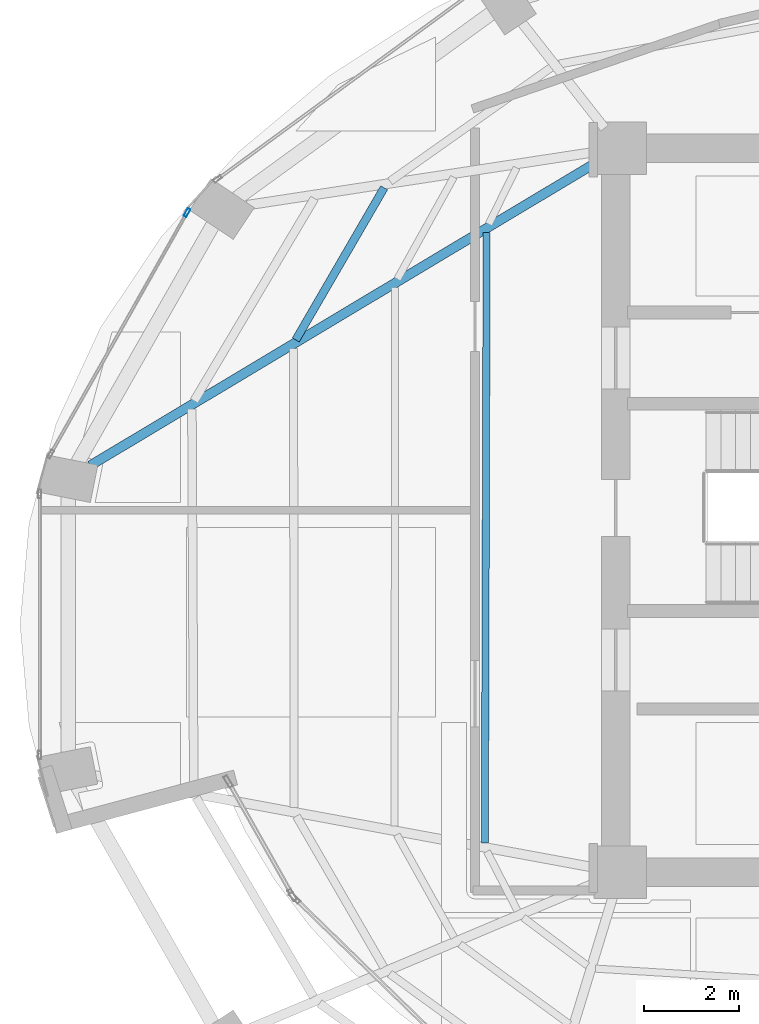
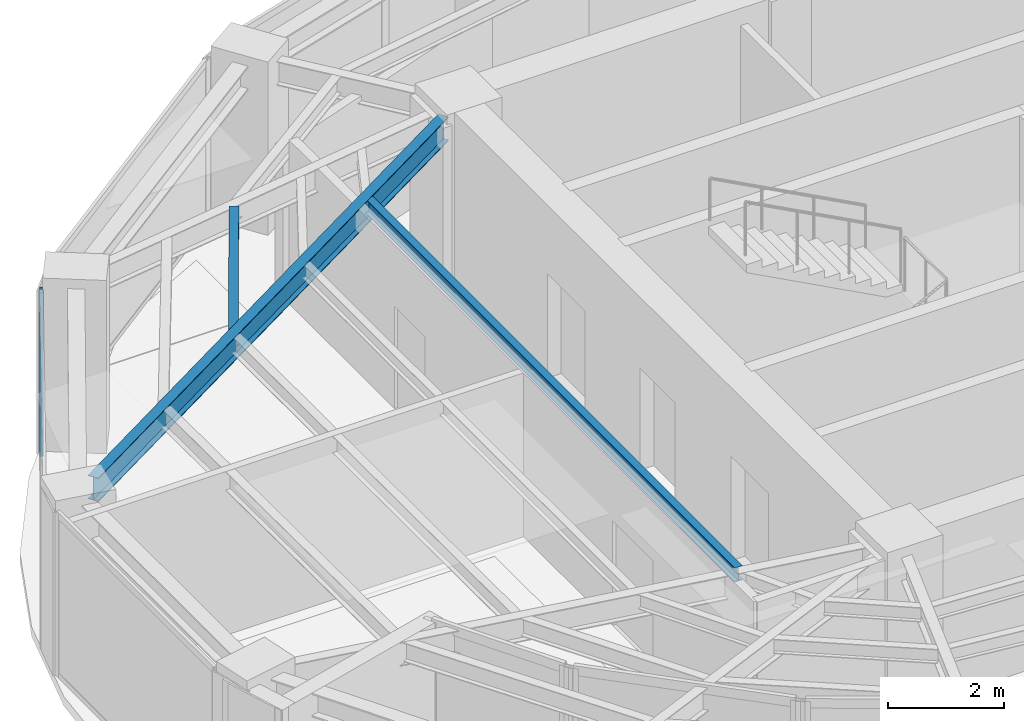
# One storey, part 8 of 22: 3 beams, 1 member, 1 element without a shape of its own.
"""IFC4 building model written with IfcOpenShell, lengths in metres."""

from ifc_helpers import new_model, si_unit, direction, frame, origin, origin_2d, place, context, subcontext, project, spatial, hollow_rectangle, i_section, extrude, material, layer, layer_set, material_profile, profile_set, type_object, element, aggregate, save


model = new_model("IFC4")

# Units and contexts
model_context = context("Model", 3, precision=1e-05, world=origin(), true_north=direction((0.0, 1.0)))
body_context = subcontext(model_context, "Body", "Model", "MODEL_VIEW")
ifc_project = project(units=[si_unit("LENGTHUNIT", "METRE"), si_unit("AREAUNIT", "SQUARE_METRE"), si_unit("VOLUMEUNIT", "CUBIC_METRE"), si_unit("PLANEANGLEUNIT", "RADIAN"), si_unit("MASSUNIT", "GRAM", prefix="KILO")], contexts=[model_context])

# Site, building, storey
site_placement = place(None, origin())
site = spatial("IfcSite", under=ifc_project, at=site_placement, CompositionType="ELEMENT")
building_placement = place(site_placement, origin())
building = spatial("IfcBuilding", under=site, at=building_placement, Name="Lazwardi Medical Tower", CompositionType="ELEMENT")
storey_placement = place(building_placement, frame((0.0, 0.0, 224.01611328125)))
storey = spatial("IfcBuildingStorey", under=building, at=storey_placement, Name="L58", CompositionType="ELEMENT", Elevation=224.01611328125)

# Beams
ifc_material_1 = material(Name="Steel S355", Category="steel")
ifc_material_profile_1 = material_profile(ifc_material_1, i_section(OverallWidth=0.199951171875, OverallDepth=0.5, WebThickness=0.01025390625, FlangeThickness=0.01611328125, at=origin_2d()), Name="IPE 500")
ifc_profile_set_1 = profile_set([ifc_material_profile_1], Name="Steel S355")
beam_type_1 = type_object("IfcBeamType", Name="BM-RG-W3", PredefinedType="BEAM", material=ifc_profile_set_1)
beam_1_placement = place(storey_placement, frame((15.27392578125, 28.937744140625, 3.197998046875), z_axis=(0.857944804603, 0.513741873176, 0.0), x_axis=(-0.513741873176, 0.857944804603, 0.0)))
element("IfcBeam", 1, at=beam_1_placement, inside=storey, type_object=beam_type_1, Name="Radial girder RG-04 R12 L58", PredefinedType="BEAM", context=body_context, shape_type="SweptSolid", body=[
    extrude(i_section(OverallWidth=0.199951171875, OverallDepth=0.5, WebThickness=0.01025390625, FlangeThickness=0.01611328125, at=origin_2d()), origin(), (0.0, 0.0, 1.0), 12.43310546875),
])
ifc_material_profile_2 = material_profile(ifc_material_1, i_section(OverallWidth=0.169921875, OverallDepth=0.360107421875, WebThickness=0.008056640625, FlangeThickness=0.0126953125, at=origin_2d()), Name="IPE 360")
ifc_profile_set_2 = profile_set([ifc_material_profile_2], Name="Steel S355")
beam_type_2 = type_object("IfcBeamType", Name="BM-SJ-02", PredefinedType="JOIST", material=ifc_profile_set_2)
beam_2_placement = place(storey_placement, frame((21.4423828125, 34.767578125, 3.267822265625), z_axis=(-0.50218018565, -0.864763008657, 0.0), x_axis=(0.864763008657, -0.50218018565, 0.0)))
element("IfcBeam", 2, at=beam_2_placement, inside=storey, type_object=beam_type_2, Name="Secondary joist SJ-02 R2 B11 L58", PredefinedType="JOIST", context=body_context, shape_type="SweptSolid", body=[
    extrude(i_section(OverallWidth=0.169921875, OverallDepth=0.360107421875, WebThickness=0.008056640625, FlangeThickness=0.0126953125, at=origin_2d()), origin(), (0.0, 0.0, 1.0), 3.69189453125),
])
ifc_material_profile_3 = material_profile(ifc_material_1, i_section(OverallWidth=0.14990234375, OverallDepth=0.300048828125, WebThickness=0.007080078125, FlangeThickness=0.0107421875, at=origin_2d()), Name="IPE 300")
ifc_profile_set_3 = profile_set([ifc_material_profile_3], Name="Steel S355")
beam_type_3 = type_object("IfcBeamType", Name="BM-SJ-03", PredefinedType="JOIST", material=ifc_profile_set_3)
beam_3_placement = place(storey_placement, frame((23.593994140625, 33.824951171875, 3.2978515625), z_axis=(-0.002897930673, -0.99999580099, 0.0), x_axis=(0.99999580099, -0.002897930673, 0.0)))
element("IfcBeam", 3, at=beam_3_placement, inside=storey, type_object=beam_type_3, Name="Secondary joist SJ-03 R4 B12 L58", PredefinedType="JOIST", context=body_context, shape_type="SweptSolid", body=[
    extrude(i_section(OverallWidth=0.14990234375, OverallDepth=0.300048828125, WebThickness=0.007080078125, FlangeThickness=0.0107421875, at=origin_2d()), origin(), (0.0, 0.0, 1.0), 12.805419921875),
])

# Curtain wall, member
ifc_material_2 = material(Name="Anodised bronze aluminium and solar control glazing", Category="aluminium")
ifc_layer = layer(ifc_material_2, 0.18994140625)
ifc_layer_set = layer_set([ifc_layer], Name="Anodised bronze aluminium and solar control glazing")
curtain_wall_type = type_object("IfcCurtainWallType", Name="CW-SYS-04", PredefinedType="NOTDEFINED", material=ifc_layer_set)
curtain_wall_placement = place(storey_placement, origin())
curtain_wall = element("IfcCurtainWall", 4, at=curtain_wall_placement, inside=storey, type_object=curtain_wall_type, Name="L58 Unitised bronze curtain wall CW-04", PredefinedType="NOTDEFINED")
ifc_material_3 = material(Name="Anodised bronze aluminium", Category="aluminium")
ifc_material_profile_4 = material_profile(ifc_material_3, hollow_rectangle(XDim=0.06494140625, YDim=0.179931640625, WallThickness=0.00390625, at=origin_2d()), Name="ALU-MULLION 180x65x4")
ifc_profile_set_4 = profile_set([ifc_material_profile_4], Name="Anodised bronze aluminium")
member_type = type_object("IfcMemberType", Name="CW-MUL-03", PredefinedType="MULLION", material=ifc_profile_set_4)
member_placement = place(storey_placement, frame((17.3056640625, 34.24560546875, 0.0), z_axis=(0.0, 0.0, 1.0), x_axis=(0.870651436011, -0.491900474661, 0.0)))
member = element("IfcMember", 5, at=member_placement, type_object=member_type, Name="CW-04 mullion 1", PredefinedType="MULLION", context=body_context, shape_type="SweptSolid", body=[
    extrude(hollow_rectangle(XDim=0.06494140625, YDim=0.179931640625, WallThickness=0.00390625, at=origin_2d()), origin(), (0.0, 0.0, 1.0), 3.447998046875),
])
aggregate(curtain_wall, [member])

save(model, "model.ifc")
